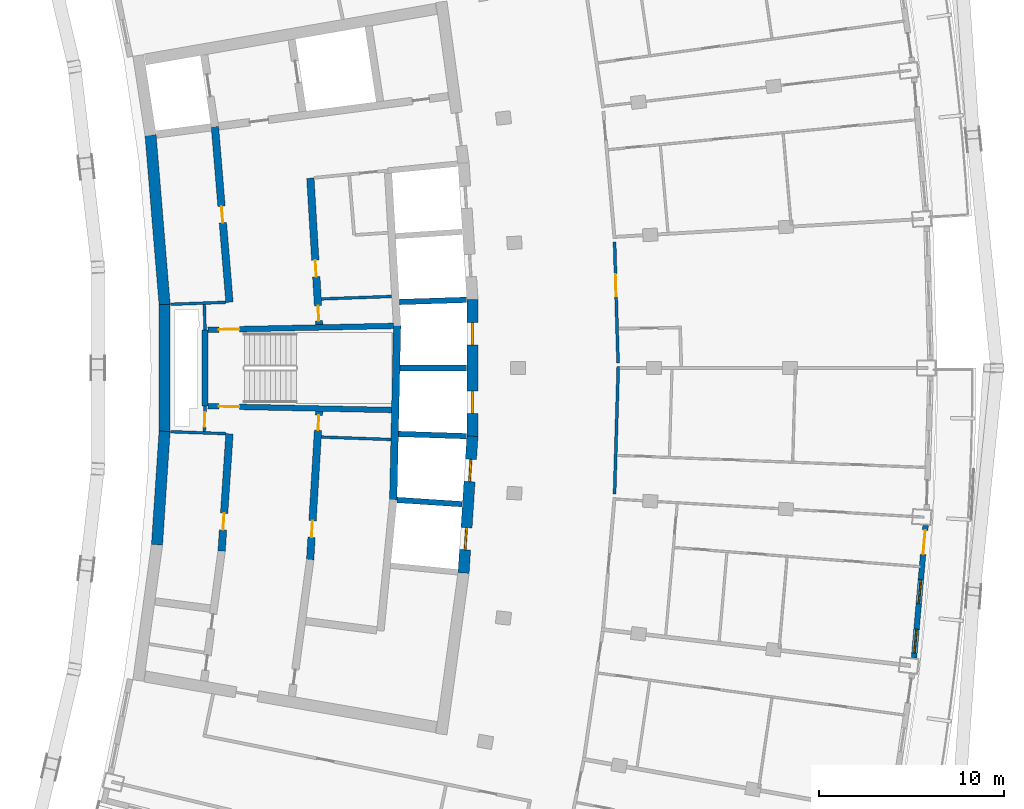
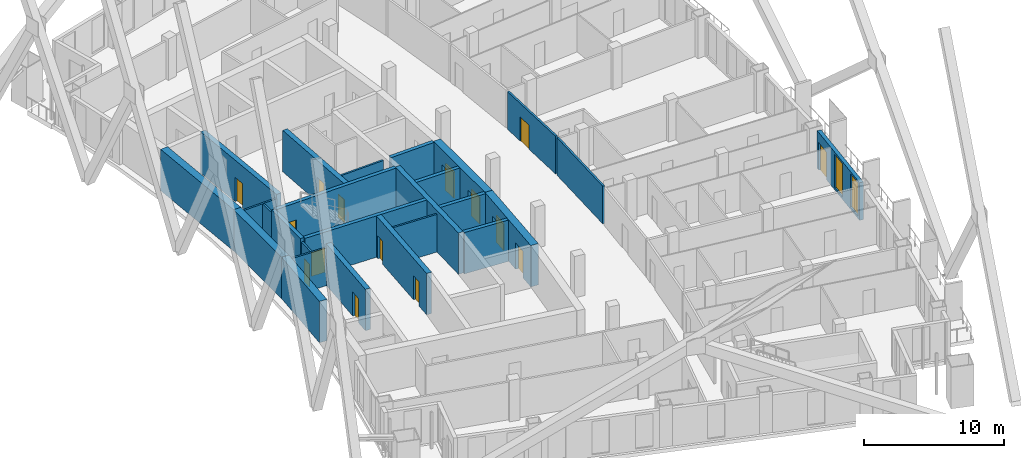
# One storey, part 12 of 20: 26 walls, 15 doors, 2 windows, 17 openings.
"""IFC4 building model written with IfcOpenShell, lengths in metres."""

from ifc_helpers import new_model, si_unit, direction, frame, frame_2d, origin, place, context, subcontext, project, spatial, rectangle, extrude, material, layer, layer_set, type_object, element, fill, save


model = new_model("IFC4")

# Units and contexts
model_context = context("Model", 3, precision=1e-05, world=origin(), true_north=direction((0.0, 1.0)))
body_context = subcontext(model_context, "Body", "Model", "MODEL_VIEW")
ifc_project = project(units=[si_unit("LENGTHUNIT", "METRE"), si_unit("AREAUNIT", "SQUARE_METRE"), si_unit("VOLUMEUNIT", "CUBIC_METRE"), si_unit("PLANEANGLEUNIT", "RADIAN"), si_unit("MASSUNIT", "GRAM", prefix="KILO")], contexts=[model_context])

# Site, building, storey
site_placement = place(None, origin())
site = spatial("IfcSite", under=ifc_project, at=site_placement, CompositionType="ELEMENT")
building_placement = place(site_placement, origin())
building = spatial("IfcBuilding", under=site, at=building_placement, Name="Alderwake Tower", CompositionType="ELEMENT")
storey_placement = place(building_placement, frame((0.0, 0.0, 210.800048828125)))
storey = spatial("IfcBuildingStorey", under=building, at=storey_placement, Name="L52", CompositionType="ELEMENT", Elevation=210.800048828125)

# Walls
ifc_material_1 = material(Name="Gypsum shaft wall system, rated")
ifc_layer_1 = layer(ifc_material_1, 0.14990234375)
ifc_layer_set_1 = layer_set([ifc_layer_1], Name="Core riser partition 150")
wall_type_1 = type_object("IfcWallType", Name="Core riser partition 150", PredefinedType="PARTITIONING", material=ifc_layer_set_1)
wall_1_placement = place(storey_placement, frame((25.1904296875, 57.276611328125, 0.0), z_axis=(0.0, 0.0, 1.0), x_axis=(0.99937350076, -0.035392173974, 0.0)))
element("IfcWall", 1, at=wall_1_placement, inside=storey, type_object=wall_type_1, Name="CW/L52/PR-37_+86", PredefinedType="PARTITIONING", context=body_context, shape_type="SweptSolid", body=[
    extrude(rectangle(XDim=3.752685546875, YDim=0.14990234375, at=frame_2d((1.87646484375, 0.0))), origin(), (0.0, 0.0, 1.0), 3.280029296875),
])
wall_2_placement = place(storey_placement, frame((25.191162109375, 64.723388671875, 0.0), z_axis=(0.0, 0.0, 1.0), x_axis=(0.999373627871, 0.035388584556, 0.0)))
element("IfcWall", 2, at=wall_2_placement, inside=storey, type_object=wall_type_1, Name="CW/L52/PR+37_+86", PredefinedType="PARTITIONING", context=body_context, shape_type="SweptSolid", body=[
    extrude(rectangle(XDim=3.79443359375, YDim=0.14990234375, at=frame_2d((1.897216796875, 0.0))), origin(), (0.0, 0.0, 1.0), 3.280029296875),
])

# Wall, opening, door
ifc_material_2 = material(Name="Gypsum shaft wall system, rated")
ifc_layer_2 = layer(ifc_material_2, 0.14990234375)
ifc_layer_set_2 = layer_set([ifc_layer_2], Name="Core room partition 150")
wall_type_2 = type_object("IfcWallType", Name="Core room partition 150", PredefinedType="PARTITIONING", material=ifc_layer_set_2)
wall_3_placement = place(storey_placement, frame((18.918701171875, 58.94384765625, 0.0), z_axis=(0.0, 0.0, 1.0), x_axis=(-0.027811602725, -0.999613182563, 0.0)))
wall_3 = element("IfcWall", 3, at=wall_3_placement, inside=storey, type_object=wall_type_2, Name="CW/L52/PA+24_-37", PredefinedType="PARTITIONING", context=body_context, shape_type="SweptSolid", body=[
    extrude(rectangle(XDim=1.369384765625, YDim=0.14990234375, at=frame_2d((0.6845703125, 0.0))), origin(), (0.0, 0.0, 1.0), 3.280029296875),
])
opening_1_placement = place(wall_3_placement, frame((0.322998046875, 0.0, 0.0)))
opening_1 = element("IfcOpeningElement", 4, at=opening_1_placement, cuts=wall_3, Name="Opening C004", PredefinedType="OPENING", context=body_context, shape_type="SweptSolid", body=[
    extrude(rectangle(XDim=0.800048828125, YDim=2.0, at=frame_2d((0.39990234375, 1.0))), frame((0.0, 0.0849609375, 0.0), z_axis=(0.0, -1.0, 0.0), x_axis=(1.0, 0.0, 0.0)), (0.0, 0.0, 1.0), 0.169921875),
])
ifc_material_3 = material(Name="Painted steel leaf, rated", Category="steel")
door_type_1 = type_object("IfcDoorType", Name="Riser access door 800", OperationType="SINGLE_SWING_LEFT", PredefinedType="DOOR", material=ifc_material_3)
door_1_placement = place(opening_1_placement, origin())
door_1 = element("IfcDoor", 5, at=door_1_placement, inside=storey, type_object=door_type_1, Name="Riser access door", OperationType="SINGLE_SWING_RIGHT", OverallHeight=2.0, OverallWidth=0.800048828125, PredefinedType="DOOR", context=body_context, shape_type="SweptSolid", body=[
    extrude(rectangle(XDim=0.800048828125, YDim=2.0, at=frame_2d((0.39990234375, 1.0))), frame((0.0, 0.02490234375, 0.0), z_axis=(0.0, -1.0, 0.0), x_axis=(1.0, 0.0, 0.0)), (0.0, 0.0, 1.0), 0.050048828125),
])
fill(opening_1, door_1)

# Walls
wall_4_placement = place(storey_placement, frame((18.918701171875, 63.05517578125, 0.0), z_axis=(0.0, 0.0, 1.0), x_axis=(-0.027791791559, 0.99961373356, 0.0)))
element("IfcWall", 6, at=wall_4_placement, inside=storey, type_object=wall_type_2, Name="CW/L52/PA+24_+22", PredefinedType="PARTITIONING", context=body_context, shape_type="SweptSolid", body=[
    extrude(rectangle(XDim=1.370361328125, YDim=0.14990234375, at=frame_2d((0.68505859375, 0.0))), origin(), (0.0, 0.0, 1.0), 3.280029296875),
])
for number, where, z_axis, x_axis, name in (
    (7, (17.0693359375, 57.56396484375, 0.0), (0.0, 0.0, 1.0), (0.999374945052, -0.03535136775, 0.0), "CW/L52/PR-37_+0"),
    (8, (17.0693359375, 64.43603515625, 0.0), (0.0, 0.0, 1.0), (0.999374945052, 0.03535136775, 0.0), "CW/L52/PR+37_+0"),
):
    element("IfcWall", number, at=place(storey_placement, frame(where, z_axis=z_axis, x_axis=x_axis)), inside=storey, type_object=wall_type_2, Name=name, PredefinedType="PARTITIONING", context=body_context, shape_type="SweptSolid", body=[
        extrude(rectangle(XDim=2.9697265625, YDim=0.14990234375, at=frame_2d((1.48486328125, 0.0))), origin(), (0.0, 0.0, 1.0), 3.280029296875),
    ])
ifc_material_4 = material(Name="Concrete C70/85", Category="concrete")
ifc_layer_3 = layer(ifc_material_4, 0.60009765625)
ifc_layer_set_3 = layer_set([ifc_layer_3], Name="Core wall outer 600 C70-85")
wall_type_3 = type_object("IfcWallType", Name="Core wall outer 600 C70-85", PredefinedType="SHEAR", material=ifc_layer_set_3)
wall_5_placement = place(storey_placement, frame((16.330078125, 51.469970703125, 0.0), z_axis=(0.0, 0.0, 1.0), x_axis=(0.066870582109, 0.997761657536, 0.0)))
element("IfcWall", 9, at=wall_5_placement, inside=storey, type_object=wall_type_3, Name="Core wall CW.036", PredefinedType="SHEAR", context=body_context, shape_type="SweptSolid", body=[
    extrude(rectangle(XDim=6.1298828125, YDim=0.60009765625, at=frame_2d((3.06494140625, 0.0))), origin(), (0.0, 0.0, 1.0), 3.599853515625),
])
wall_6_placement = place(storey_placement, frame((16.739501953125, 57.565185546875, 0.0), z_axis=(0.0, 0.0, 1.0), x_axis=(0.0, 1.0, 0.0)))
element("IfcWall", 10, at=wall_6_placement, inside=storey, type_object=wall_type_3, Name="Core wall CW.038", PredefinedType="SHEAR", context=body_context, shape_type="SweptSolid", body=[
    extrude(rectangle(XDim=6.8720703125, YDim=0.60009765625, at=frame_2d((3.43603515625, 0.0))), origin(), (0.0, 0.0, 1.0), 3.599853515625),
])
wall_7_placement = place(storey_placement, frame((16.740478515625, 64.411376953125, 0.0), z_axis=(0.0, 0.0, 1.0), x_axis=(-0.082614307012, 0.996581595393, 0.0)))
element("IfcWall", 11, at=wall_7_placement, inside=storey, type_object=wall_type_3, Name="Core wall CW.035", PredefinedType="SHEAR", context=body_context, shape_type="SweptSolid", body=[
    extrude(rectangle(XDim=9.184814453125, YDim=0.60009765625, at=frame_2d((4.59228515625, 0.0))), origin(), (0.0, 0.0, 1.0), 3.599853515625),
])

# Wall, openings, doors
wall_8_placement = place(storey_placement, frame((32.860107421875, 49.9453125, 0.0), z_axis=(0.0, 0.0, 1.0), x_axis=(0.065013379938, 0.997884392317, 0.0)))
wall_8 = element("IfcWall", 12, at=wall_8_placement, inside=storey, type_object=wall_type_3, Name="Core wall CW.016", PredefinedType="SHEAR", context=body_context, shape_type="SweptSolid", body=[
    extrude(rectangle(XDim=7.39404296875, YDim=0.60009765625, at=frame_2d((3.697021484375, 0.0))), origin(), (0.0, 0.0, 1.0), 3.599853515625),
])
opening_2_placement = place(wall_8_placement, frame((1.254150390625, 0.0, 0.0)))
opening_2 = element("IfcOpeningElement", 13, at=opening_2_placement, cuts=wall_8, Name="Opening LD-HP1", PredefinedType="OPENING", context=body_context, shape_type="SweptSolid", body=[
    extrude(rectangle(XDim=1.199951171875, YDim=2.300048828125, at=frame_2d((0.60009765625, 1.14990234375))), frame((0.0, 0.31005859375, 0.0), z_axis=(0.0, -1.0, 0.0), x_axis=(1.0, 0.0, 0.0)), (0.0, 0.0, 1.0), 0.6201171875),
])
opening_3_placement = place(wall_8_placement, frame((4.941162109375, 0.0, 0.0)))
opening_3 = element("IfcOpeningElement", 14, at=opening_3_placement, cuts=wall_8, Name="Opening LD-HP2", PredefinedType="OPENING", context=body_context, shape_type="SweptSolid", body=[
    extrude(rectangle(XDim=1.199951171875, YDim=2.300048828125, at=frame_2d((0.60009765625, 1.14990234375))), frame((0.0, 0.31005859375, 0.0), z_axis=(0.0, -1.0, 0.0), x_axis=(1.0, 0.0, 0.0)), (0.0, 0.0, 1.0), 0.6201171875),
])
ifc_material_5 = material(Name="Stainless steel sliding leaf", Category="steel")
door_type_2 = type_object("IfcDoorType", Name="Lift landing door 1200", OperationType="SLIDING_TO_LEFT", PredefinedType="DOOR", material=ifc_material_5)
door_2_placement = place(opening_2_placement, origin())
door_2 = element("IfcDoor", 15, at=door_2_placement, inside=storey, type_object=door_type_2, Name="Lift landing door HP1", OperationType="SLIDING_TO_LEFT", OverallHeight=2.300048828125, OverallWidth=1.199951171875, PredefinedType="DOOR", context=body_context, shape_type="SweptSolid", body=[
    extrude(rectangle(XDim=1.199951171875, YDim=2.300048828125, at=frame_2d((0.60009765625, 1.14990234375))), frame((0.0, 0.050048828125, 0.0), z_axis=(0.0, -1.0, 0.0), x_axis=(1.0, 0.0, 0.0)), (0.0, 0.0, 1.0), 0.10009765625),
])
fill(opening_2, door_2)
door_3_placement = place(opening_3_placement, origin())
door_3 = element("IfcDoor", 16, at=door_3_placement, inside=storey, type_object=door_type_2, Name="Lift landing door HP2", OperationType="SLIDING_TO_LEFT", OverallHeight=2.300048828125, OverallWidth=1.199951171875, PredefinedType="DOOR", context=body_context, shape_type="SweptSolid", body=[
    extrude(rectangle(XDim=1.199951171875, YDim=2.300048828125, at=frame_2d((0.60009765625, 1.14990234375))), frame((0.0, 0.050048828125, 0.0), z_axis=(0.0, -1.0, 0.0), x_axis=(1.0, 0.0, 0.0)), (0.0, 0.0, 1.0), 0.10009765625),
])
fill(opening_3, door_3)

wall_9_placement = place(storey_placement, frame((33.340087890625, 57.30322265625, 0.0), z_axis=(0.0, 0.0, 1.0), x_axis=(0.0, 1.0, 0.0)))
wall_9 = element("IfcWall", 17, at=wall_9_placement, inside=storey, type_object=wall_type_3, Name="Core wall CW.018", PredefinedType="SHEAR", context=body_context, shape_type="SweptSolid", body=[
    extrude(rectangle(XDim=7.3935546875, YDim=0.60009765625, at=frame_2d((3.69677734375, 0.0))), origin(), (0.0, 0.0, 1.0), 3.599853515625),
])
opening_4_placement = place(wall_9_placement, frame((1.25341796875, 0.0, 0.0)))
opening_4 = element("IfcOpeningElement", 18, at=opening_4_placement, cuts=wall_9, Name="Opening LD-HP3", PredefinedType="OPENING", context=body_context, shape_type="SweptSolid", body=[
    extrude(rectangle(XDim=1.199951171875, YDim=2.300048828125, at=frame_2d((0.60009765625, 1.14990234375))), frame((0.0, 0.31005859375, 0.0), z_axis=(0.0, -1.0, 0.0), x_axis=(1.0, 0.0, 0.0)), (0.0, 0.0, 1.0), 0.6201171875),
])
opening_5_placement = place(wall_9_placement, frame((4.940185546875, 0.0, 0.0)))
opening_5 = element("IfcOpeningElement", 19, at=opening_5_placement, cuts=wall_9, Name="Opening LD-HP4", PredefinedType="OPENING", context=body_context, shape_type="SweptSolid", body=[
    extrude(rectangle(XDim=1.199951171875, YDim=2.300048828125, at=frame_2d((0.60009765625, 1.14990234375))), frame((0.0, 0.31005859375, 0.0), z_axis=(0.0, -1.0, 0.0), x_axis=(1.0, 0.0, 0.0)), (0.0, 0.0, 1.0), 0.6201171875),
])
door_4_placement = place(opening_4_placement, origin())
door_4 = element("IfcDoor", 20, at=door_4_placement, inside=storey, type_object=door_type_2, Name="Lift landing door HP3", OperationType="SLIDING_TO_LEFT", OverallHeight=2.300048828125, OverallWidth=1.199951171875, PredefinedType="DOOR", context=body_context, shape_type="SweptSolid", body=[
    extrude(rectangle(XDim=1.199951171875, YDim=2.300048828125, at=frame_2d((0.60009765625, 1.14990234375))), frame((0.0, 0.050048828125, 0.0), z_axis=(0.0, -1.0, 0.0), x_axis=(1.0, 0.0, 0.0)), (0.0, 0.0, 1.0), 0.10009765625),
])
fill(opening_4, door_4)
door_5_placement = place(opening_5_placement, origin())
door_5 = element("IfcDoor", 21, at=door_5_placement, inside=storey, type_object=door_type_2, Name="Lift landing door HP4", OperationType="SLIDING_TO_LEFT", OverallHeight=2.300048828125, OverallWidth=1.199951171875, PredefinedType="DOOR", context=body_context, shape_type="SweptSolid", body=[
    extrude(rectangle(XDim=1.199951171875, YDim=2.300048828125, at=frame_2d((0.60009765625, 1.14990234375))), frame((0.0, 0.050048828125, 0.0), z_axis=(0.0, -1.0, 0.0), x_axis=(1.0, 0.0, 0.0)), (0.0, 0.0, 1.0), 0.10009765625),
])
fill(opening_5, door_5)

# Walls
ifc_material_6 = material(Name="Concrete C70/85", Category="concrete")
ifc_layer_4 = layer(ifc_material_6, 0.300048828125)
ifc_layer_set_4 = layer_set([ifc_layer_4], Name="Core wall shaft 300 C70-85")
wall_type_4 = type_object("IfcWallType", Name="Core wall shaft 300 C70-85", PredefinedType="SHEAR", material=ifc_layer_set_4)
wall_10_placement = place(storey_placement, frame((29.268798828125, 53.884521484375, 0.0), z_axis=(0.0, 0.0, 1.0), x_axis=(0.997887366571, -0.064967712281, 0.0)))
element("IfcWall", 22, at=wall_10_placement, inside=storey, type_object=wall_type_4, Name="Core wall CW.078", PredefinedType="SHEAR", context=body_context, shape_type="SweptSolid", body=[
    extrude(rectangle(XDim=3.509765625, YDim=0.300048828125, at=frame_2d((1.7548828125, 0.0))), origin(), (0.0, 0.0, 1.0), 3.599853515625),
])
wall_11_placement = place(storey_placement, frame((29.347412109375, 57.443603515625, 0.0), z_axis=(0.0, 0.0, 1.0), x_axis=(0.99946918462, -0.032578351638, 0.0)))
element("IfcWall", 23, at=wall_11_placement, inside=storey, type_object=wall_type_4, Name="Core wall CW.075", PredefinedType="SHEAR", context=body_context, shape_type="SweptSolid", body=[
    extrude(rectangle(XDim=3.66455078125, YDim=0.300048828125, at=frame_2d((1.832275390625, 0.0))), origin(), (0.0, 0.0, 1.0), 3.599853515625),
])
wall_12_placement = place(storey_placement, frame((29.426025390625, 61.0, 0.0), z_axis=(0.0, 0.0, 1.0), x_axis=(1.0, 0.0, 0.0)))
element("IfcWall", 24, at=wall_12_placement, inside=storey, type_object=wall_type_4, Name="Core wall CW.048", PredefinedType="SHEAR", context=body_context, shape_type="SweptSolid", body=[
    extrude(rectangle(XDim=3.583984375, YDim=0.300048828125, at=frame_2d((1.7919921875, 0.0))), origin(), (0.0, 0.0, 1.0), 3.599853515625),
])
wall_13_placement = place(storey_placement, frame((29.401611328125, 64.558349609375, 0.0), z_axis=(0.0, 0.0, 1.0), x_axis=(0.999470865009, 0.032526758191, 0.0)))
element("IfcWall", 25, at=wall_13_placement, inside=storey, type_object=wall_type_4, Name="Core wall CW.058", PredefinedType="SHEAR", context=body_context, shape_type="SweptSolid", body=[
    extrude(rectangle(XDim=3.6103515625, YDim=0.300048828125, at=frame_2d((1.80517578125, 0.0))), origin(), (0.0, 0.0, 1.0), 3.599853515625),
])

# Wall, opening, door
ifc_material_7 = material(Name="Concrete C70/85", Category="concrete")
ifc_layer_5 = layer(ifc_material_7, 0.39990234375)
ifc_layer_set_5 = layer_set([ifc_layer_5], Name="Core wall spine 400 C70-85")
wall_type_5 = type_object("IfcWallType", Name="Core wall spine 400 C70-85", PredefinedType="SHEAR", material=ifc_layer_set_5)
wall_14_placement = place(storey_placement, frame((20.2373046875, 57.451904296875, 0.0), z_axis=(0.0, 0.0, 1.0), x_axis=(-0.066884681503, -0.997760712486, 0.0)))
wall_14 = element("IfcWall", 26, at=wall_14_placement, inside=storey, type_object=wall_type_5, Name="Core wall CW.032", PredefinedType="SHEAR", context=body_context, shape_type="SweptSolid", body=[
    extrude(rectangle(XDim=6.336669921875, YDim=0.39990234375, at=frame_2d((3.16845703125, 0.0))), origin(), (0.0, 0.0, 1.0), 3.599853515625),
])
opening_6_placement = place(wall_14_placement, frame((4.297119140625, 0.0, 0.0)))
opening_6 = element("IfcOpeningElement", 27, at=opening_6_placement, cuts=wall_14, Name="Opening C037", PredefinedType="OPENING", context=body_context, shape_type="SweptSolid", body=[
    extrude(rectangle(XDim=0.89990234375, YDim=2.10009765625, at=frame_2d((0.449951171875, 1.050048828125))), frame((0.0, 0.2099609375, 0.0), z_axis=(0.0, -1.0, 0.0), x_axis=(1.0, 0.0, 0.0)), (0.0, 0.0, 1.0), 0.419921875),
])
ifc_material_8 = material(Name="Painted steel leaf", Category="steel")
door_type_3 = type_object("IfcDoorType", Name="Core room door 900", OperationType="SINGLE_SWING_LEFT", PredefinedType="DOOR", material=ifc_material_8)
door_6_placement = place(opening_6_placement, origin())
door_6 = element("IfcDoor", 28, at=door_6_placement, inside=storey, type_object=door_type_3, Name="Room door", OperationType="SINGLE_SWING_RIGHT", OverallHeight=2.10009765625, OverallWidth=0.89990234375, PredefinedType="DOOR", context=body_context, shape_type="SweptSolid", body=[
    extrude(rectangle(XDim=0.89990234375, YDim=2.10009765625, at=frame_2d((0.449951171875, 1.050048828125))), frame((0.0, 0.02490234375, 0.0), z_axis=(0.0, -1.0, 0.0), x_axis=(1.0, 0.0, 0.0)), (0.0, 0.0, 1.0), 0.050048828125),
])
fill(opening_6, door_6)

wall_15_placement = place(storey_placement, frame((19.452392578125, 74.014892578125, 0.0), z_axis=(0.0, 0.0, 1.0), x_axis=(0.082628585297, -0.996580411654, 0.0)))
wall_15 = element("IfcWall", 29, at=wall_15_placement, inside=storey, type_object=wall_type_5, Name="Core wall CW.031", PredefinedType="SHEAR", context=body_context, shape_type="SweptSolid", body=[
    extrude(rectangle(XDim=9.499267578125, YDim=0.39990234375, at=frame_2d((4.74951171875, 0.0))), origin(), (0.0, 0.0, 1.0), 3.599853515625),
])
opening_7_placement = place(wall_15_placement, frame((4.30322265625, 0.0, 0.0)))
opening_7 = element("IfcOpeningElement", 30, at=opening_7_placement, cuts=wall_15, Name="Opening C051", PredefinedType="OPENING", context=body_context, shape_type="SweptSolid", body=[
    extrude(rectangle(XDim=0.89990234375, YDim=2.10009765625, at=frame_2d((0.449951171875, 1.050048828125))), frame((0.0, 0.2099609375, 0.0), z_axis=(0.0, -1.0, 0.0), x_axis=(1.0, 0.0, 0.0)), (0.0, 0.0, 1.0), 0.419921875),
])
door_7_placement = place(opening_7_placement, origin())
door_7 = element("IfcDoor", 31, at=door_7_placement, inside=storey, type_object=door_type_3, Name="Room door", OperationType="SINGLE_SWING_RIGHT", OverallHeight=2.10009765625, OverallWidth=0.89990234375, PredefinedType="DOOR", context=body_context, shape_type="SweptSolid", body=[
    extrude(rectangle(XDim=0.89990234375, YDim=2.10009765625, at=frame_2d((0.449951171875, 1.050048828125))), frame((0.0, 0.02490234375, 0.0), z_axis=(0.0, -1.0, 0.0), x_axis=(1.0, 0.0, 0.0)), (0.0, 0.0, 1.0), 0.050048828125),
])
fill(opening_7, door_7)

# Wall, openings, doors
wall_16_placement = place(storey_placement, frame((24.590087890625, 50.65673828125, 0.0), z_axis=(0.0, 0.0, 1.0), x_axis=(0.060318641452, 0.998179173041, 0.0)))
wall_16 = element("IfcWall", 32, at=wall_16_placement, inside=storey, type_object=wall_type_5, Name="Core wall CW.046", PredefinedType="SHEAR", context=body_context, shape_type="SweptSolid", body=[
    extrude(rectangle(XDim=8.022216796875, YDim=0.39990234375, at=frame_2d((4.01123046875, 0.0))), origin(), (0.0, 0.0, 1.0), 3.599853515625),
])
opening_8_placement = place(wall_16_placement, frame((7.006103515625, 0.0, 0.0)))
opening_8 = element("IfcOpeningElement", 33, at=opening_8_placement, cuts=wall_16, Name="Opening C006", PredefinedType="OPENING", context=body_context, shape_type="SweptSolid", body=[
    extrude(rectangle(XDim=0.800048828125, YDim=2.0, at=frame_2d((0.39990234375, 1.0))), frame((0.0, 0.2099609375, 0.0), z_axis=(0.0, -1.0, 0.0), x_axis=(1.0, 0.0, 0.0)), (0.0, 0.0, 1.0), 0.419921875),
])
opening_9_placement = place(wall_16_placement, frame((1.21533203125, 0.0, 0.0)))
opening_9 = element("IfcOpeningElement", 34, at=opening_9_placement, cuts=wall_16, Name="Opening C043", PredefinedType="OPENING", context=body_context, shape_type="SweptSolid", body=[
    extrude(rectangle(XDim=0.89990234375, YDim=2.10009765625, at=frame_2d((0.449951171875, 1.050048828125))), frame((0.0, 0.2099609375, 0.0), z_axis=(0.0, -1.0, 0.0), x_axis=(1.0, 0.0, 0.0)), (0.0, 0.0, 1.0), 0.419921875),
])
door_8_placement = place(opening_9_placement, origin())
door_8 = element("IfcDoor", 35, at=door_8_placement, inside=storey, type_object=door_type_3, Name="Room door", OperationType="SINGLE_SWING_LEFT", OverallHeight=2.10009765625, OverallWidth=0.89990234375, PredefinedType="DOOR", context=body_context, shape_type="SweptSolid", body=[
    extrude(rectangle(XDim=0.89990234375, YDim=2.10009765625, at=frame_2d((0.449951171875, 1.050048828125))), frame((0.0, 0.02490234375, 0.0), z_axis=(0.0, -1.0, 0.0), x_axis=(1.0, 0.0, 0.0)), (0.0, 0.0, 1.0), 0.050048828125),
])
fill(opening_9, door_8)
door_9_placement = place(opening_8_placement, origin())
door_9 = element("IfcDoor", 36, at=door_9_placement, inside=storey, type_object=door_type_1, Name="Riser access door", OperationType="SINGLE_SWING_RIGHT", OverallHeight=2.0, OverallWidth=0.800048828125, PredefinedType="DOOR", context=body_context, shape_type="SweptSolid", body=[
    extrude(rectangle(XDim=0.800048828125, YDim=2.0, at=frame_2d((0.39990234375, 1.0))), frame((0.0, 0.02490234375, 0.0), z_axis=(0.0, -1.0, 0.0), x_axis=(1.0, 0.0, 0.0)), (0.0, 0.0, 1.0), 0.050048828125),
])
fill(opening_8, door_9)

wall_17_placement = place(storey_placement, frame((25.073974609375, 63.335693359375, 0.0), z_axis=(0.0, 0.0, 1.0), x_axis=(-0.059848641072, 0.998207463487, 0.0)))
wall_17 = element("IfcWall", 37, at=wall_17_placement, inside=storey, type_object=wall_type_5, Name="Core wall CW.045", PredefinedType="SHEAR", context=body_context, shape_type="SweptSolid", body=[
    extrude(rectangle(XDim=7.913818359375, YDim=0.39990234375, at=frame_2d((3.95703125, 0.0))), origin(), (0.0, 0.0, 1.0), 3.599853515625),
])
opening_10_placement = place(wall_17_placement, frame((0.216064453125, 0.0, 0.0)))
opening_10 = element("IfcOpeningElement", 38, at=opening_10_placement, cuts=wall_17, Name="Opening C005", PredefinedType="OPENING", context=body_context, shape_type="SweptSolid", body=[
    extrude(rectangle(XDim=0.800048828125, YDim=2.0, at=frame_2d((0.39990234375, 1.0))), frame((0.0, 0.2099609375, 0.0), z_axis=(0.0, -1.0, 0.0), x_axis=(1.0, 0.0, 0.0)), (0.0, 0.0, 1.0), 0.419921875),
])
opening_11_placement = place(wall_17_placement, frame((2.590087890625, 0.0, 0.0)))
opening_11 = element("IfcOpeningElement", 39, at=opening_11_placement, cuts=wall_17, Name="Opening C058", PredefinedType="OPENING", context=body_context, shape_type="SweptSolid", body=[
    extrude(rectangle(XDim=0.89990234375, YDim=2.10009765625, at=frame_2d((0.449951171875, 1.050048828125))), frame((0.0, 0.2099609375, 0.0), z_axis=(0.0, -1.0, 0.0), x_axis=(1.0, 0.0, 0.0)), (0.0, 0.0, 1.0), 0.419921875),
])
door_10_placement = place(opening_11_placement, origin())
door_10 = element("IfcDoor", 40, at=door_10_placement, inside=storey, type_object=door_type_3, Name="Room door", OperationType="SINGLE_SWING_LEFT", OverallHeight=2.10009765625, OverallWidth=0.89990234375, PredefinedType="DOOR", context=body_context, shape_type="SweptSolid", body=[
    extrude(rectangle(XDim=0.89990234375, YDim=2.10009765625, at=frame_2d((0.449951171875, 1.050048828125))), frame((0.0, 0.02490234375, 0.0), z_axis=(0.0, -1.0, 0.0), x_axis=(1.0, 0.0, 0.0)), (0.0, 0.0, 1.0), 0.050048828125),
])
fill(opening_11, door_10)
door_11_placement = place(opening_10_placement, origin())
door_11 = element("IfcDoor", 41, at=door_11_placement, inside=storey, type_object=door_type_1, Name="Riser access door", OperationType="SINGLE_SWING_LEFT", OverallHeight=2.0, OverallWidth=0.800048828125, PredefinedType="DOOR", context=body_context, shape_type="SweptSolid", body=[
    extrude(rectangle(XDim=0.800048828125, YDim=2.0, at=frame_2d((0.39990234375, 1.0))), frame((0.0, 0.02490234375, 0.0), z_axis=(0.0, -1.0, 0.0), x_axis=(1.0, 0.0, 0.0)), (0.0, 0.0, 1.0), 0.050048828125),
])
fill(opening_10, door_11)

# Walls
wall_18_placement = place(storey_placement, frame((29.06884765625, 53.889404296875, 0.0), z_axis=(0.0, 0.0, 1.0), x_axis=(0.022115148322, 0.9997554302, 0.0)))
element("IfcWall", 42, at=wall_18_placement, inside=storey, type_object=wall_type_5, Name="Core wall CW.008", PredefinedType="SHEAR", context=body_context, shape_type="SweptSolid", body=[
    extrude(rectangle(XDim=9.39453125, YDim=0.39990234375, at=frame_2d((4.697265625, 0.0))), origin(), (0.0, 0.0, 1.0), 3.599853515625),
])
ifc_material_9 = material(Name="Concrete C70/85", Category="concrete")
ifc_layer_6 = layer(ifc_material_9, 0.300048828125)
ifc_layer_set_6 = layer_set([ifc_layer_6], Name="Core wall stair enclosure 300 C70-85")
wall_type_6 = type_object("IfcWallType", Name="Core wall stair enclosure 300 C70-85", PredefinedType="SHEAR", material=ifc_layer_set_6)
wall_19_placement = place(storey_placement, frame((18.918701171875, 58.940673828125, 0.0), z_axis=(0.0, 0.0, 1.0), x_axis=(0.0, 1.0, 0.0)))
element("IfcWall", 43, at=wall_19_placement, inside=storey, type_object=wall_type_6, Name="Core wall CW.024", PredefinedType="SHEAR", context=body_context, shape_type="SweptSolid", body=[
    extrude(rectangle(XDim=4.11962890625, YDim=0.300048828125, at=frame_2d((2.059814453125, 0.0))), origin(), (0.0, 0.0, 1.0), 3.599853515625),
])

# Wall, opening, door
wall_20_placement = place(storey_placement, frame((28.975830078125, 58.733154296875, 0.0), z_axis=(0.0, 0.0, 1.0), x_axis=(-0.999783782948, 0.020793925895, 0.0)))
wall_20 = element("IfcWall", 44, at=wall_20_placement, inside=storey, type_object=wall_type_6, Name="Core wall CW.074", PredefinedType="SHEAR", context=body_context, shape_type="SweptSolid", body=[
    extrude(rectangle(XDim=9.909423828125, YDim=0.300048828125, at=frame_2d((4.95458984375, 0.0))), origin(), (0.0, 0.0, 1.0), 3.599853515625),
])
opening_12_placement = place(wall_20_placement, frame((8.20947265625, 0.0, 0.0)))
opening_12 = element("IfcOpeningElement", 45, at=opening_12_placement, cuts=wall_20, Name="Opening C063", PredefinedType="OPENING", context=body_context, shape_type="SweptSolid", body=[
    extrude(rectangle(XDim=1.10009765625, YDim=2.10009765625, at=frame_2d((0.550048828125, 1.050048828125))), frame((0.0, 0.159912109375, 0.0), z_axis=(0.0, -1.0, 0.0), x_axis=(1.0, 0.0, 0.0)), (0.0, 0.0, 1.0), 0.320068359375),
])
ifc_material_10 = material(Name="Steel-framed fire door leaf", Category="steel")
door_type_4 = type_object("IfcDoorType", Name="Core stair door 1100 fire-rated", OperationType="SINGLE_SWING_LEFT", PredefinedType="DOOR", material=ifc_material_10)
door_12_placement = place(opening_12_placement, origin())
door_12 = element("IfcDoor", 46, at=door_12_placement, inside=storey, type_object=door_type_4, Name="Stair door", OperationType="SINGLE_SWING_LEFT", OverallHeight=2.10009765625, OverallWidth=1.10009765625, PredefinedType="DOOR", context=body_context, shape_type="SweptSolid", body=[
    extrude(rectangle(XDim=1.10009765625, YDim=2.10009765625, at=frame_2d((0.550048828125, 1.050048828125))), frame((0.0, 0.02490234375, 0.0), z_axis=(0.0, -1.0, 0.0), x_axis=(1.0, 0.0, 0.0)), (0.0, 0.0, 1.0), 0.050048828125),
])
fill(opening_12, door_12)

wall_21_placement = place(storey_placement, frame((19.068603515625, 63.060791015625, 0.0), z_axis=(0.0, 0.0, 1.0), x_axis=(0.999783553773, 0.02080494185, 0.0)))
wall_21 = element("IfcWall", 47, at=wall_21_placement, inside=storey, type_object=wall_type_6, Name="Core wall CW.057", PredefinedType="SHEAR", context=body_context, shape_type="SweptSolid", body=[
    extrude(rectangle(XDim=10.009765625, YDim=0.300048828125, at=frame_2d((5.0048828125, 0.0))), origin(), (0.0, 0.0, 1.0), 3.599853515625),
])
opening_13_placement = place(wall_21_placement, frame((0.60009765625, 0.0, 0.0)))
opening_13 = element("IfcOpeningElement", 48, at=opening_13_placement, cuts=wall_21, Name="Opening C064", PredefinedType="OPENING", context=body_context, shape_type="SweptSolid", body=[
    extrude(rectangle(XDim=1.10009765625, YDim=2.10009765625, at=frame_2d((0.550048828125, 1.050048828125))), frame((0.0, 0.159912109375, 0.0), z_axis=(0.0, -1.0, 0.0), x_axis=(1.0, 0.0, 0.0)), (0.0, 0.0, 1.0), 0.320068359375),
])
door_13_placement = place(opening_13_placement, origin())
door_13 = element("IfcDoor", 49, at=door_13_placement, inside=storey, type_object=door_type_4, Name="Stair door", OperationType="SINGLE_SWING_RIGHT", OverallHeight=2.10009765625, OverallWidth=1.10009765625, PredefinedType="DOOR", context=body_context, shape_type="SweptSolid", body=[
    extrude(rectangle(XDim=1.10009765625, YDim=2.10009765625, at=frame_2d((0.550048828125, 1.050048828125))), frame((0.0, 0.02490234375, 0.0), z_axis=(0.0, -1.0, 0.0), x_axis=(1.0, 0.0, 0.0)), (0.0, 0.0, 1.0), 0.050048828125),
])
fill(opening_13, door_13)

# Wall
ifc_material_11 = material(Name="Gypsum board on metal studs, rated")
ifc_layer_7 = layer(ifc_material_11, 0.159912109375)
ifc_layer_set_7 = layer_set([ifc_layer_7], Name="Corridor wall 160")
wall_type_7 = type_object("IfcWallType", Name="Corridor wall 160", PredefinedType="PARTITIONING", material=ifc_layer_set_7)
wall_22_placement = place(storey_placement, frame((41.002685546875, 54.20068359375, 0.0), z_axis=(0.0, 0.0, 1.0), x_axis=(0.028879835058, 0.999582890573, 0.0)))
element("IfcWall", 50, at=wall_22_placement, inside=storey, type_object=wall_type_7, Name="WL/L52/W23", PredefinedType="PARTITIONING", context=body_context, shape_type="SweptSolid", body=[
    extrude(rectangle(XDim=6.88134765625, YDim=0.159912109375, at=frame_2d((3.440673828125, 0.0))), origin(), (0.0, 0.0, 1.0), 3.280029296875),
])

# Wall, opening, door
wall_23_placement = place(storey_placement, frame((41.002685546875, 67.80029296875, 0.0), z_axis=(0.0, 0.0, 1.0), x_axis=(0.02886788617, -0.999583235728, 0.0)))
wall_23 = element("IfcWall", 51, at=wall_23_placement, inside=storey, type_object=wall_type_7, Name="WL/L52/W25", PredefinedType="PARTITIONING", context=body_context, shape_type="SweptSolid", body=[
    extrude(rectangle(XDim=6.537353515625, YDim=0.159912109375, at=frame_2d((3.2685546875, 0.0))), origin(), (0.0, 0.0, 1.0), 3.280029296875),
])
opening_14_placement = place(wall_23_placement, frame((1.7412109375, 0.0, 0.0)))
opening_14 = element("IfcOpeningElement", 52, at=opening_14_placement, cuts=wall_23, Name="Opening R15-AM1.1", PredefinedType="OPENING", context=body_context, shape_type="SweptSolid", body=[
    extrude(rectangle(XDim=1.199951171875, YDim=2.10009765625, at=frame_2d((0.60009765625, 1.050048828125))), frame((0.0, 0.08984375, 0.0), z_axis=(0.0, -1.0, 0.0), x_axis=(1.0, 0.0, 0.0)), (0.0, 0.0, 1.0), 0.179931640625),
])
ifc_material_12 = material(Name="Steel-framed fire door leaf", Category="steel")
door_type_5 = type_object("IfcDoorType", Name="Lobby door 1200 fire-rated", OperationType="SINGLE_SWING_LEFT", PredefinedType="DOOR", material=ifc_material_12)
door_14_placement = place(opening_14_placement, origin())
door_14 = element("IfcDoor", 53, at=door_14_placement, inside=storey, type_object=door_type_5, Name="DR/L52/AM1.1", OperationType="SINGLE_SWING_LEFT", OverallHeight=2.10009765625, OverallWidth=1.199951171875, PredefinedType="DOOR", context=body_context, shape_type="SweptSolid", body=[
    extrude(rectangle(XDim=1.199951171875, YDim=2.10009765625, at=frame_2d((0.60009765625, 1.050048828125))), frame((0.0, 0.02490234375, 0.0), z_axis=(0.0, -1.0, 0.0), x_axis=(1.0, 0.0, 0.0)), (0.0, 0.0, 1.0), 0.050048828125),
])
fill(opening_14, door_14)

# Wall, openings, door, windows
ifc_material_13 = material(Name="Precast concrete C50/60 spandrel panel", Category="concrete")
ifc_layer_8 = layer(ifc_material_13, 0.300048828125)
ifc_layer_set_8 = layer_set([ifc_layer_8], Name="External wall EW1 Precast concrete C50/60 spandrel")
wall_type_8 = type_object("IfcWallType", Name="External wall EW1 Precast concrete C50/60 spandrel", PredefinedType="SOLIDWALL", material=ifc_layer_set_8)
wall_24_placement = place(storey_placement, frame((57.150634765625, 45.37646484375, 0.0), z_axis=(0.0, 0.0, 1.0), x_axis=(0.087398001478, 0.996173473516, 0.0)))
wall_24 = element("IfcWall", 54, at=wall_24_placement, inside=storey, type_object=wall_type_8, Name="External wall 14", PredefinedType="SOLIDWALL", context=body_context, shape_type="SweptSolid", body=[
    extrude(rectangle(XDim=7.15673828125, YDim=0.300048828125, at=frame_2d((3.578369140625, 0.0))), origin(), (0.0, 0.0, 1.0), 3.280029296875),
])
opening_15_placement = place(wall_24_placement, frame((0.24951171875, 0.0, 0.199951171875)))
opening_15 = element("IfcOpeningElement", 55, at=opening_15_placement, cuts=wall_24, Name="Opening W1", PredefinedType="OPENING", context=body_context, shape_type="SweptSolid", body=[
    extrude(rectangle(XDim=1.300048828125, YDim=2.89990234375, at=frame_2d((0.64990234375, 1.449951171875))), frame((0.0, 0.159912109375, 0.0), z_axis=(0.0, -1.0, 0.0), x_axis=(1.0, 0.0, 0.0)), (0.0, 0.0, 1.0), 0.320068359375),
])
opening_16_placement = place(wall_24_placement, frame((2.928466796875, 0.0, 0.199951171875)))
opening_16 = element("IfcOpeningElement", 56, at=opening_16_placement, cuts=wall_24, Name="Opening W1", PredefinedType="OPENING", context=body_context, shape_type="SweptSolid", body=[
    extrude(rectangle(XDim=1.300048828125, YDim=2.89990234375, at=frame_2d((0.64990234375, 1.449951171875))), frame((0.0, 0.159912109375, 0.0), z_axis=(0.0, -1.0, 0.0), x_axis=(1.0, 0.0, 0.0)), (0.0, 0.0, 1.0), 0.320068359375),
])
opening_17_placement = place(wall_24_placement, frame((5.607421875, 0.0, 0.0)))
opening_17 = element("IfcOpeningElement", 57, at=opening_17_placement, cuts=wall_24, Name="Opening D04", PredefinedType="OPENING", context=body_context, shape_type="SweptSolid", body=[
    extrude(rectangle(XDim=1.300048828125, YDim=2.39990234375, at=frame_2d((0.64990234375, 1.199951171875))), frame((0.0, 0.159912109375, 0.0), z_axis=(0.0, -1.0, 0.0), x_axis=(1.0, 0.0, 0.0)), (0.0, 0.0, 1.0), 0.320068359375),
])
ifc_material_14 = material(Name="Bronze tinted glass in aluminium frame", Category="aluminium")
door_type_6 = type_object("IfcDoorType", Name="Balcony door BD sliding", OperationType="SLIDING_TO_LEFT", PredefinedType="DOOR", material=ifc_material_14)
door_15_placement = place(opening_17_placement, origin())
door_15 = element("IfcDoor", 58, at=door_15_placement, inside=storey, type_object=door_type_6, Name="Door D04", OperationType="SLIDING_TO_LEFT", OverallHeight=2.39990234375, OverallWidth=1.300048828125, PredefinedType="DOOR", context=body_context, shape_type="SweptSolid", body=[
    extrude(rectangle(XDim=1.300048828125, YDim=2.39990234375, at=frame_2d((0.64990234375, 1.199951171875))), frame((0.0, 0.02490234375, 0.0), z_axis=(0.0, -1.0, 0.0), x_axis=(1.0, 0.0, 0.0)), (0.0, 0.0, 1.0), 0.050048828125),
])
fill(opening_17, door_15)
ifc_material_15 = material(Name="Bronze tinted glass in aluminium frame", Category="aluminium")
window_type = type_object("IfcWindowType", Name="Window W1 tall fixed and vent", PartitioningType="DOUBLE_PANEL_VERTICAL", PredefinedType="WINDOW", material=ifc_material_15)
window_1_placement = place(opening_15_placement, origin())
window_1 = element("IfcWindow", 59, at=window_1_placement, inside=storey, type_object=window_type, Name="Window W1 tall fixed and vent", OverallHeight=2.89990234375, OverallWidth=1.300048828125, PartitioningType="DOUBLE_PANEL_VERTICAL", PredefinedType="WINDOW", context=body_context, shape_type="SweptSolid", body=[
    extrude(rectangle(XDim=1.300048828125, YDim=2.89990234375, at=frame_2d((0.64990234375, 1.449951171875))), frame((0.0, 0.030029296875, 0.0), z_axis=(0.0, -1.0, 0.0), x_axis=(1.0, 0.0, 0.0)), (0.0, 0.0, 1.0), 0.06005859375),
])
fill(opening_15, window_1)
window_2_placement = place(opening_16_placement, origin())
window_2 = element("IfcWindow", 60, at=window_2_placement, inside=storey, type_object=window_type, Name="Window W1 tall fixed and vent", OverallHeight=2.89990234375, OverallWidth=1.300048828125, PartitioningType="DOUBLE_PANEL_VERTICAL", PredefinedType="WINDOW", context=body_context, shape_type="SweptSolid", body=[
    extrude(rectangle(XDim=1.300048828125, YDim=2.89990234375, at=frame_2d((0.64990234375, 1.449951171875))), frame((0.0, 0.030029296875, 0.0), z_axis=(0.0, -1.0, 0.0), x_axis=(1.0, 0.0, 0.0)), (0.0, 0.0, 1.0), 0.06005859375),
])
fill(opening_16, window_2)

save(model, "model.ifc")
